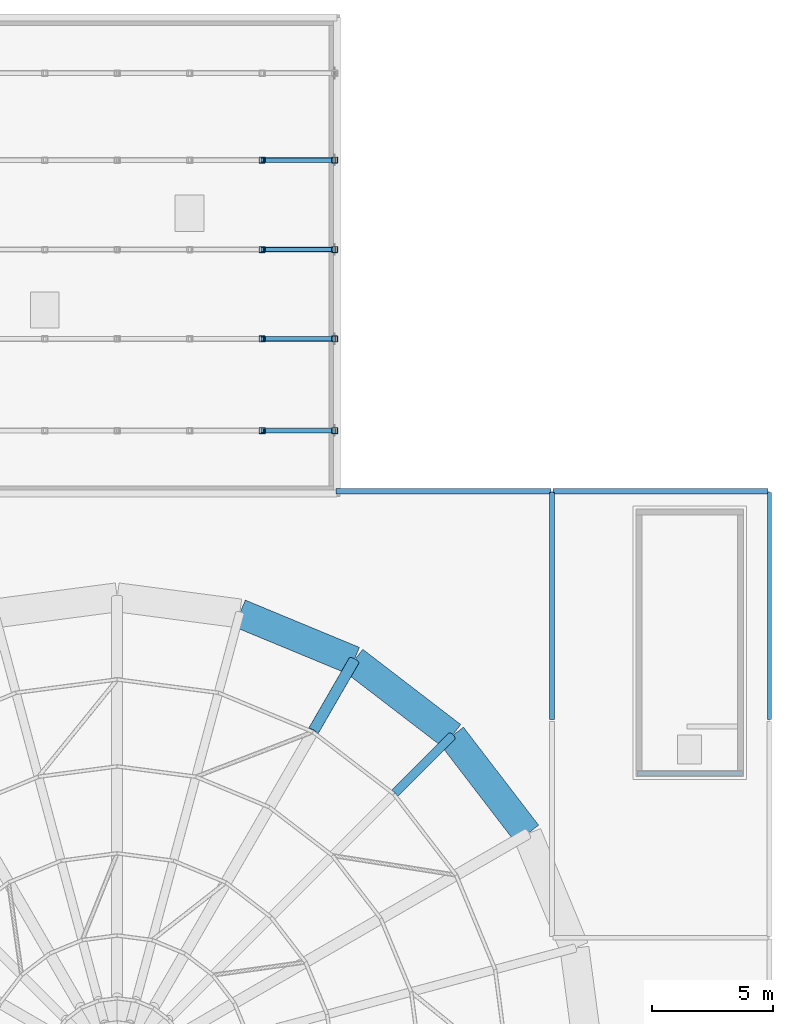
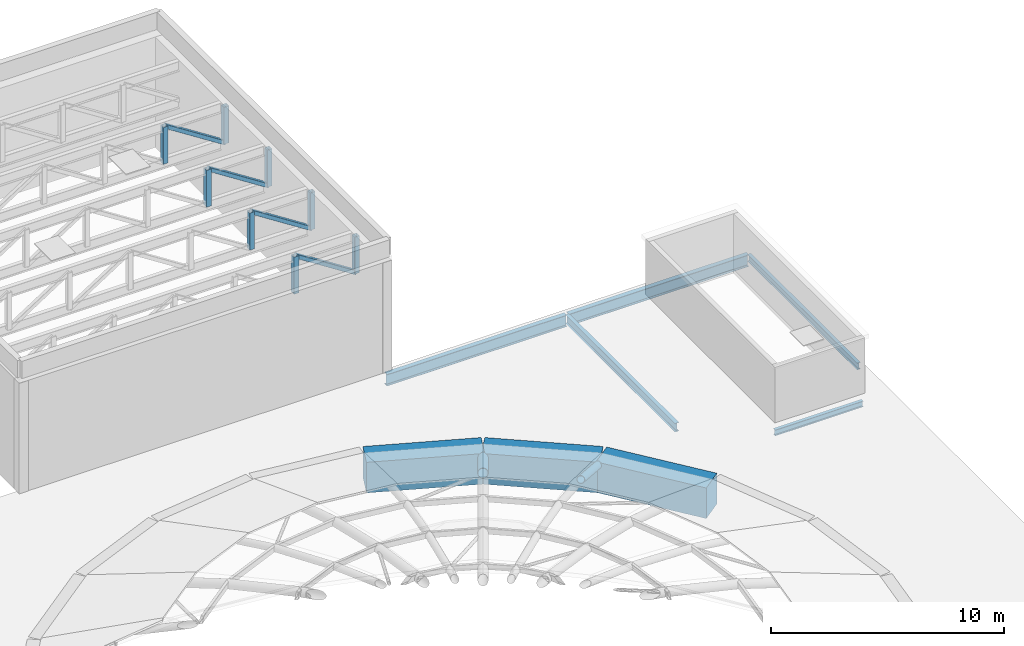
# One storey, part 14 of 25: 14 members, 8 beams.
"""IFC4 building model written with IfcOpenShell, lengths in metres."""

from ifc_helpers import new_model, si_unit, direction, frame, origin, origin_2d, place, context, subcontext, project, spatial, rectangle, hollow_rectangle, hollow_circle, i_section, extrude, material, material_profile, profile_set, type_object, element, save


model = new_model("IFC4")

# Units and contexts
model_context = context("Model", 3, precision=1e-05, world=origin(), true_north=direction((0.0, 1.0)))
body_context = subcontext(model_context, "Body", "Model", "MODEL_VIEW")
ifc_project = project(units=[si_unit("LENGTHUNIT", "METRE"), si_unit("AREAUNIT", "SQUARE_METRE"), si_unit("VOLUMEUNIT", "CUBIC_METRE"), si_unit("PLANEANGLEUNIT", "RADIAN"), si_unit("MASSUNIT", "GRAM", prefix="KILO")], contexts=[model_context])

# Site, building, storey
site_placement = place(None, origin())
site = spatial("IfcSite", under=ifc_project, at=site_placement, CompositionType="ELEMENT")
building_placement = place(site_placement, origin())
building = spatial("IfcBuilding", under=site, at=building_placement, Name="Marnock Terrace Opera House", CompositionType="ELEMENT")
storey_placement = place(building_placement, frame((0.0, 0.0, 28.199951171875)))
storey = spatial("IfcBuildingStorey", under=building, at=storey_placement, Name="RF", CompositionType="ELEMENT", Elevation=28.199951171875)

# Beams
ifc_material_1 = material(Name="Steel Grade 350 (AS/NZS 3679.1)", Category="steel")
ifc_material_profile_1 = material_profile(ifc_material_1, i_section(OverallWidth=0.1708984375, OverallDepth=0.355712890625, WebThickness=0.00732421875, FlangeThickness=0.011474609375, FilletRadius=0.011474609375, at=origin_2d()))
ifc_profile_set_1 = profile_set([ifc_material_profile_1], Name="Steel Grade 350 (AS/NZS 3679.1)")
beam_type_1 = type_object("IfcBeamType", Name="BM-GIRD-360", PredefinedType="BEAM", material=ifc_profile_set_1)
beam_1_placement = place(storey_placement, frame((109.0, 75.050048828125, -0.397705078125), z_axis=(0.0, 1.0, 0.0), x_axis=(-1.0, 0.0, 0.0)))
element("IfcBeam", 1, at=beam_1_placement, inside=storey, type_object=beam_type_1, Name="RF girder (X=109.0, 75.0..84.5)", PredefinedType="BEAM", context=body_context, shape_type="SweptSolid", body=[
    extrude(i_section(OverallWidth=0.1708984375, OverallDepth=0.355712890625, WebThickness=0.00732421875, FlangeThickness=0.011474609375, FilletRadius=0.011474609375, at=origin_2d()), origin(), (0.0, 0.0, 1.0), 9.39990234375),
])
ifc_material_profile_2 = material_profile(ifc_material_1, i_section(OverallWidth=0.18994140625, OverallDepth=0.45751953125, WebThickness=0.009033203125, FlangeThickness=0.014404296875, FilletRadius=0.011474609375, at=origin_2d()))
ifc_profile_set_2 = profile_set([ifc_material_profile_2], Name="Steel Grade 350 (AS/NZS 3679.1)")
beam_type_2 = type_object("IfcBeamType", Name="BM-GIRD-460B", PredefinedType="BEAM", material=ifc_profile_set_2)
beam_2_placement = place(storey_placement, frame((100.0, 75.050048828125, -0.44873046875), z_axis=(0.0, 1.0, 0.0), x_axis=(-1.0, 0.0, 0.0)))
element("IfcBeam", 2, at=beam_2_placement, inside=storey, type_object=beam_type_2, Name="RF girder (X=100.0, 75.0..84.5)", PredefinedType="BEAM", context=body_context, shape_type="SweptSolid", body=[
    extrude(i_section(OverallWidth=0.18994140625, OverallDepth=0.45751953125, WebThickness=0.009033203125, FlangeThickness=0.014404296875, FilletRadius=0.011474609375, at=origin_2d()), origin(), (0.0, 0.0, 1.0), 9.39990234375),
])
ifc_material_profile_3 = material_profile(ifc_material_1, i_section(OverallWidth=0.22900390625, OverallDepth=0.611572265625, WebThickness=0.011962890625, FlangeThickness=0.01953125, FilletRadius=0.013916015625, at=origin_2d()))
ifc_profile_set_3 = profile_set([ifc_material_profile_3], Name="Steel Grade 350 (AS/NZS 3679.1)")
beam_type_3 = type_object("IfcBeamType", Name="BM-GIRD-610A", PredefinedType="BEAM", material=ifc_profile_set_3)
beam_3_placement = place(storey_placement, frame((100.050048828125, 84.5, -0.525634765625), z_axis=(1.0, 0.0, 0.0), x_axis=(0.0, 1.0, 0.0)))
element("IfcBeam", 3, at=beam_3_placement, inside=storey, type_object=beam_type_3, Name="RF girder (100.0..109.0, Y=84.5)", PredefinedType="BEAM", context=body_context, shape_type="SweptSolid", body=[
    extrude(i_section(OverallWidth=0.22900390625, OverallDepth=0.611572265625, WebThickness=0.011962890625, FlangeThickness=0.01953125, FilletRadius=0.013916015625, at=origin_2d()), origin(), (0.0, 0.0, 1.0), 8.89990234375),
])
ifc_material_profile_4 = material_profile(ifc_material_1, i_section(OverallWidth=0.22802734375, OverallDepth=0.60693359375, WebThickness=0.01123046875, FlangeThickness=0.017333984375, FilletRadius=0.013916015625, at=origin_2d()))
ifc_profile_set_4 = profile_set([ifc_material_profile_4], Name="Steel Grade 350 (AS/NZS 3679.1)")
beam_type_4 = type_object("IfcBeamType", Name="BM-GIRD-610B", PredefinedType="BEAM", material=ifc_profile_set_4)
beam_4_placement = place(storey_placement, frame((91.050048828125, 84.5, -0.5234375), z_axis=(1.0, 0.0, 0.0), x_axis=(0.0, 1.0, 0.0)))
element("IfcBeam", 4, at=beam_4_placement, inside=storey, type_object=beam_type_4, Name="RF girder (91.0..100.0, Y=84.5)", PredefinedType="BEAM", context=body_context, shape_type="SweptSolid", body=[
    extrude(i_section(OverallWidth=0.22802734375, OverallDepth=0.60693359375, WebThickness=0.01123046875, FlangeThickness=0.017333984375, FilletRadius=0.013916015625, at=origin_2d()), origin(), (0.0, 0.0, 1.0), 8.89990234375),
])
ifc_material_profile_5 = material_profile(ifc_material_1, i_section(OverallWidth=0.166015625, OverallDepth=0.30712890625, WebThickness=0.006591796875, FlangeThickness=0.01171875, FilletRadius=0.011474609375, at=origin_2d()))
ifc_profile_set_5 = profile_set([ifc_material_profile_5], Name="Steel Grade 350 (AS/NZS 3679.1)")
beam_type_5 = type_object("IfcBeamType", Name="BM-LINT-310", PredefinedType="LINTEL", material=ifc_profile_set_5)
beam_5_placement = place(storey_placement, frame((103.52001953125, 72.800048828125, -0.570068359375), z_axis=(1.0, 0.0, 0.0), x_axis=(0.0, 1.0, 0.0)))
element("IfcBeam", 5, at=beam_5_placement, inside=storey, type_object=beam_type_5, Name="L05 Core C4 coupling lintel", PredefinedType="LINTEL", context=body_context, shape_type="SweptSolid", body=[
    extrude(i_section(OverallWidth=0.166015625, OverallDepth=0.30712890625, WebThickness=0.006591796875, FlangeThickness=0.01171875, FilletRadius=0.011474609375, at=origin_2d()), origin(), (0.0, 0.0, 1.0), 4.35986328125),
])
ifc_material_2 = material(Name="Concrete N50 (f'c = 50 MPa)", Category="concrete")
ifc_material_profile_6 = material_profile(ifc_material_2, rectangle(XDim=1.199951171875, YDim=1.60009765625, at=origin_2d()))
ifc_profile_set_6 = profile_set([ifc_material_profile_6], Name="Concrete N50 (f'c = 50 MPa)")
beam_type_6 = type_object("IfcBeamType", Name="BM-RING-RC1200", PredefinedType="BEAM", material=ifc_profile_set_6)
for number, where, z_axis, x_axis, name in (
    (6, (98.97412109375, 70.300048828125, -0.800048828125), (-0.608857194409, 0.793279847731, 0.0), (-0.793279847731, -0.608857194409, 0.0), "Auditorium drum Concrete N50 ring beam segment 3"),
    (7, (95.85888671875, 74.35888671875, -0.800048828125), (-0.793279847731, 0.608857194409, 0.0), (-0.608857194409, -0.793279847731, 0.0), "Auditorium drum Concrete N50 ring beam segment 4"),
    (8, (91.800048828125, 77.47412109375, -0.800048828125), (-0.923896452635, 0.382642581018, 0.0), (-0.382642581018, -0.923896452635, 0.0), "Auditorium drum Concrete N50 ring beam segment 5"),
):
    element("IfcBeam", number, at=place(storey_placement, frame(where, z_axis=z_axis, x_axis=x_axis)), inside=storey, type_object=beam_type_6, Name=name, PredefinedType="BEAM", context=body_context, shape_type="SweptSolid", body=[
        extrude(rectangle(XDim=1.199951171875, YDim=1.60009765625, at=origin_2d()), origin(), (0.0, 0.0, 1.0), 5.116455078125),
    ])

# Members
ifc_material_3 = material(Name="Cold-formed Steel Grade C350L0 (AS/NZS 1163)", Category="steel")
ifc_material_profile_7 = material_profile(ifc_material_3, hollow_circle(Radius=0.228515625, WallThickness=0.0126953125, at=origin_2d()))
ifc_profile_set_7 = profile_set([ifc_material_profile_7], Name="Cold-formed Steel Grade C350L0 (AS/NZS 1163)")
member_type_1 = type_object("IfcMemberType", Name="MEM-DOME-RIB1", PredefinedType="RAFTER", material=ifc_profile_set_7)
member_1_placement = place(storey_placement, frame((91.800048828125, 77.47412109375, -0.447509765625), z_axis=(-0.463255093536, -0.802429941568, 0.376166063313), x_axis=(0.866038511948, -0.499977295307, 0.0)))
element("IfcMember", 9, at=member_1_placement, inside=storey, type_object=member_type_1, Name="Auditorium dome meridian steel rib 5.1", PredefinedType="RAFTER", context=body_context, shape_type="SweptSolid", body=[
    extrude(hollow_circle(Radius=0.228515625, WallThickness=0.0126953125, at=origin_2d()), origin(), (0.0, 0.0, 1.0), 3.669677734375),
])
ifc_material_profile_8 = material_profile(ifc_material_3, hollow_circle(Radius=0.177734375, WallThickness=0.0126953125, at=origin_2d()))
ifc_profile_set_8 = profile_set([ifc_material_profile_8], Name="Cold-formed Steel Grade C350L0 (AS/NZS 1163)")
member_type_2 = type_object("IfcMemberType", Name="MEM-DOME-RIB2", PredefinedType="RAFTER", material=ifc_profile_set_8)
member_2_placement = place(storey_placement, frame((95.859375, 74.359375, -0.39208984375), z_axis=(-0.655273344477, -0.655273344477, 0.375810707718), x_axis=(0.707106781187, -0.707106781187, 0.0)))
element("IfcMember", 10, at=member_2_placement, inside=storey, type_object=member_type_2, Name="Auditorium dome meridian steel rib 4.1", PredefinedType="RAFTER", context=body_context, shape_type="SweptSolid", body=[
    extrude(hollow_circle(Radius=0.177734375, WallThickness=0.0126953125, at=origin_2d()), origin(), (0.0, 0.0, 1.0), 3.669189453125),
])
ifc_material_profile_9 = material_profile(ifc_material_3, hollow_rectangle(XDim=0.25, YDim=0.25, WallThickness=0.010009765625, InnerFilletRadius=0.010009765625, OuterFilletRadius=0.02001953125, at=origin_2d()))
ifc_profile_set_9 = profile_set([ifc_material_profile_9], Name="Cold-formed Steel Grade C350L0 (AS/NZS 1163)")
member_type_3 = type_object("IfcMemberType", Name="MEM-TRUSS-WEB1", PredefinedType="STRUT", material=ifc_profile_set_9)
for number, where, z_axis, x_axis, name in (
    (11, (88.0, 87.0, 3.580078125), (0.0, 0.0, 1.0), (1.0, 0.0, 0.0), "Fly Tower Pratt truss 1 vertical 5"),
    (12, (91.0, 87.0, 3.580078125), (0.0, 0.0, 1.0), (1.0, 0.0, 0.0), "Fly Tower Pratt truss 1 vertical 6"),
    (13, (88.0, 90.800048828125, 3.580078125), (0.0, 0.0, 1.0), (1.0, 0.0, 0.0), "Fly Tower Pratt truss 2 vertical 5"),
    (14, (91.0, 90.800048828125, 3.580078125), (0.0, 0.0, 1.0), (1.0, 0.0, 0.0), "Fly Tower Pratt truss 2 vertical 6"),
    (15, (88.0, 94.5, 3.580078125), (0.0, 0.0, 1.0), (1.0, 0.0, 0.0), "Fly Tower Pratt truss 3 vertical 5"),
    (16, (91.0, 94.5, 3.580078125), (0.0, 0.0, 1.0), (1.0, 0.0, 0.0), "Fly Tower Pratt truss 3 vertical 6"),
    (17, (88.0, 98.199951171875, 3.580078125), (0.0, 0.0, 1.0), (1.0, 0.0, 0.0), "Fly Tower Pratt truss 4 vertical 5"),
    (18, (91.0, 98.199951171875, 3.580078125), (0.0, 0.0, 1.0), (1.0, 0.0, 0.0), "Fly Tower Pratt truss 4 vertical 6"),
):
    element("IfcMember", number, at=place(storey_placement, frame(where, z_axis=z_axis, x_axis=x_axis)), inside=storey, type_object=member_type_3, Name=name, PredefinedType="STRUT", context=body_context, shape_type="SweptSolid", body=[
        extrude(hollow_rectangle(XDim=0.25, YDim=0.25, WallThickness=0.010009765625, InnerFilletRadius=0.010009765625, OuterFilletRadius=0.02001953125, at=origin_2d()), origin(), (0.0, 0.0, 1.0), 1.929931640625),
    ])
ifc_material_profile_10 = material_profile(ifc_material_3, hollow_rectangle(XDim=0.199951171875, YDim=0.199951171875, WallThickness=0.009033203125, InnerFilletRadius=0.009033203125, OuterFilletRadius=0.01806640625, at=origin_2d()))
ifc_profile_set_10 = profile_set([ifc_material_profile_10], Name="Cold-formed Steel Grade C350L0 (AS/NZS 1163)")
member_type_4 = type_object("IfcMemberType", Name="MEM-TRUSS-WEB2", PredefinedType="BRACE", material=ifc_profile_set_10)
for number, where, z_axis, x_axis, name in (
    (19, (91.0, 87.0, 3.580078125), (-0.841004981943, 0.0, 0.541027374859), (0.0, -1.0, 0.0), "Fly Tower Pratt truss 1 diagonal 5"),
    (20, (91.0, 90.800048828125, 3.580078125), (-0.841004981943, 0.0, 0.541027374859), (0.0, -1.0, 0.0), "Fly Tower Pratt truss 2 diagonal 5"),
    (21, (91.0, 94.5, 3.580078125), (-0.841004981943, 0.0, 0.541027374859), (0.0, -1.0, 0.0), "Fly Tower Pratt truss 3 diagonal 5"),
    (22, (91.0, 98.199951171875, 3.580078125), (-0.841004981943, 0.0, 0.541027374859), (0.0, -1.0, 0.0), "Fly Tower Pratt truss 4 diagonal 5"),
):
    element("IfcMember", number, at=place(storey_placement, frame(where, z_axis=z_axis, x_axis=x_axis)), inside=storey, type_object=member_type_4, Name=name, PredefinedType="BRACE", context=body_context, shape_type="SweptSolid", body=[
        extrude(hollow_rectangle(XDim=0.199951171875, YDim=0.199951171875, WallThickness=0.009033203125, InnerFilletRadius=0.009033203125, OuterFilletRadius=0.01806640625, at=origin_2d()), origin(), (0.0, 0.0, 1.0), 3.567138671875),
    ])

save(model, "model.ifc")
